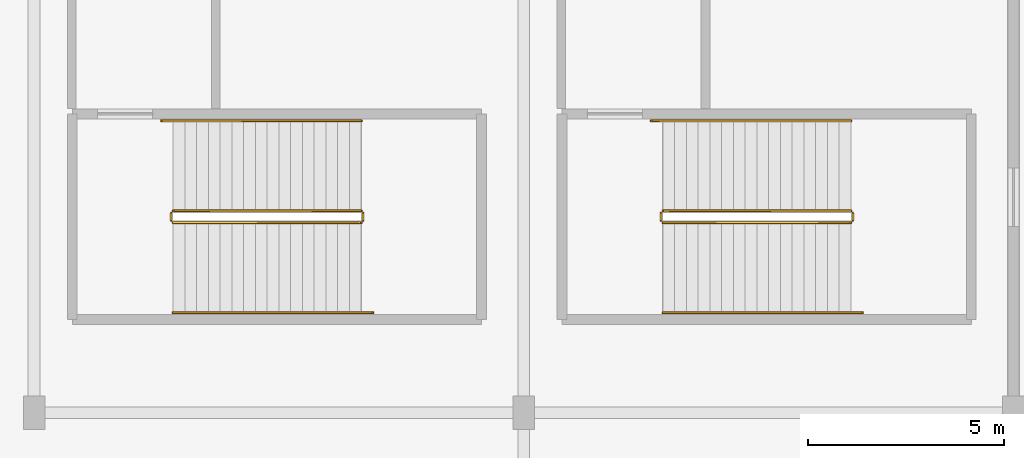
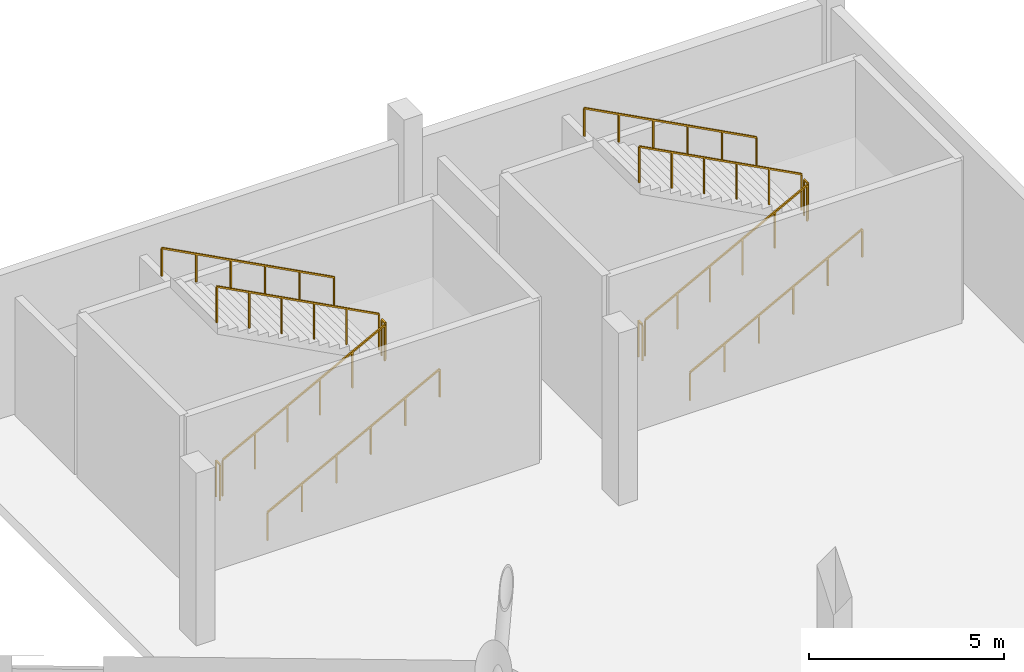
# One storey, part 82 of 82: 12 railings.
"""IFC4 building model written with IfcOpenShell, lengths in metres."""

from ifc_helpers import new_model, si_unit, direction, frame, origin, origin_2d, place, context, subcontext, project, spatial, rectangle, extrude, material, type_object, element, save


model = new_model("IFC4")

# Units and contexts
model_context = context("Model", 3, precision=1e-05, world=origin(), true_north=direction((0.0, 1.0)))
body_context = subcontext(model_context, "Body", "Model", "MODEL_VIEW")
ifc_project = project(units=[si_unit("LENGTHUNIT", "METRE"), si_unit("AREAUNIT", "SQUARE_METRE"), si_unit("VOLUMEUNIT", "CUBIC_METRE"), si_unit("PLANEANGLEUNIT", "RADIAN"), si_unit("MASSUNIT", "GRAM", prefix="KILO")], contexts=[model_context])

# Site, building, storey
site_placement = place(None, origin())
site = spatial("IfcSite", under=ifc_project, at=site_placement, CompositionType="ELEMENT")
building_placement = place(site_placement, origin())
building = spatial("IfcBuilding", under=site, at=building_placement, Name="Zlatoyarsky Gate Stadium", CompositionType="ELEMENT")
storey_placement = place(building_placement, origin())
storey = spatial("IfcBuildingStorey", under=building, at=storey_placement, Name="L00", CompositionType="ELEMENT", Elevation=0.0)

# Railings
ifc_material_1 = material(Name="Powder-coated steel stair guardrail", Category="steel")
railing_type_1 = type_object("IfcRailingType", Name="PAINTED STEEL STAIR WELL GUARDRAIL 1150", PredefinedType="GUARDRAIL", material=ifc_material_1)
railing_1_placement = place(storey_placement, frame((176.050048828125, 142.85009765625, 0.158935546875)))
element("IfcRailing", 1, at=railing_1_placement, inside=storey, type_object=railing_type_1, Name="ST-27 L00 stair guard 1", PredefinedType="GUARDRAIL", context=body_context, shape_type="SweptSolid", body=[
    extrude(rectangle(XDim=0.048095703125, YDim=0.048095703125, at=origin_2d()), frame((0.0, 0.0, 1.1259765625), z_axis=(0.883802130504, 0.0, 0.467860870469), x_axis=(0.0, 1.0, 0.0)), (0.0, 0.0, 1.0), 5.43115234375),
    extrude(rectangle(XDim=0.0419921875, YDim=0.0419921875, at=origin_2d()), origin(), (0.0, 0.0, 1.0), 1.101806640625),
    extrude(rectangle(XDim=0.0419921875, YDim=0.0419921875, at=origin_2d()), frame((0.9599609375, 0.0, 0.50830078125)), (0.0, 0.0, 1.0), 1.101806640625),
    extrude(rectangle(XDim=0.0419921875, YDim=0.0419921875, at=origin_2d()), frame((1.919921875, 0.0, 1.016357421875)), (0.0, 0.0, 1.0), 1.101806640625),
    extrude(rectangle(XDim=0.0419921875, YDim=0.0419921875, at=origin_2d()), frame((2.880126953125, 0.0, 1.524658203125)), (0.0, 0.0, 1.0), 1.101806640625),
    extrude(rectangle(XDim=0.0419921875, YDim=0.0419921875, at=origin_2d()), frame((3.840087890625, 0.0, 2.03271484375)), (0.0, 0.0, 1.0), 1.101806640625),
    extrude(rectangle(XDim=0.0419921875, YDim=0.0419921875, at=origin_2d()), frame((4.800048828125, 0.0, 2.541015625)), (0.0, 0.0, 1.0), 1.101806640625),
])
railing_2_placement = place(storey_placement, frame((180.89990234375, 142.89990234375, 2.699951171875)))
element("IfcRailing", 2, at=railing_2_placement, inside=storey, type_object=railing_type_1, Name="ST-27 L00 stair guard 2", PredefinedType="GUARDRAIL", context=body_context, shape_type="SweptSolid", body=[
    extrude(rectangle(XDim=0.048095703125, YDim=0.048095703125, at=origin_2d()), frame((0.0, 0.0, 1.1259765625), z_axis=(0.0, 1.0, 0.0), x_axis=(-1.0, 0.0, 0.0)), (0.0, 0.0, 1.0), 0.2001953125),
    extrude(rectangle(XDim=0.0419921875, YDim=0.0419921875, at=origin_2d()), origin(), (0.0, 0.0, 1.0), 1.101806640625),
    extrude(rectangle(XDim=0.0419921875, YDim=0.0419921875, at=origin_2d()), frame((0.0, 0.2001953125, 0.0)), (0.0, 0.0, 1.0), 1.101806640625),
])
railing_3_placement = place(storey_placement, frame((180.85009765625, 143.14990234375, 2.85888671875)))
element("IfcRailing", 3, at=railing_3_placement, inside=storey, type_object=railing_type_1, Name="ST-27 L00 stair guard 3", PredefinedType="GUARDRAIL", context=body_context, shape_type="SweptSolid", body=[
    extrude(rectangle(XDim=0.048095703125, YDim=0.048095703125, at=origin_2d()), frame((0.0, 0.0, 1.1259765625), z_axis=(-0.883802130504, 0.0, 0.467860870469), x_axis=(0.0, -1.0, 0.0)), (0.0, 0.0, 1.0), 5.43115234375),
    extrude(rectangle(XDim=0.0419921875, YDim=0.0419921875, at=origin_2d()), origin(), (0.0, 0.0, 1.0), 1.101806640625),
    extrude(rectangle(XDim=0.0419921875, YDim=0.0419921875, at=origin_2d()), frame((-0.9599609375, 0.0, 0.50830078125)), (0.0, 0.0, 1.0), 1.101806640625),
    extrude(rectangle(XDim=0.0419921875, YDim=0.0419921875, at=origin_2d()), frame((-1.919921875, 0.0, 1.016357421875)), (0.0, 0.0, 1.0), 1.101806640625),
    extrude(rectangle(XDim=0.0419921875, YDim=0.0419921875, at=origin_2d()), frame((-2.880126953125, 0.0, 1.524658203125)), (0.0, 0.0, 1.0), 1.101806640625),
    extrude(rectangle(XDim=0.0419921875, YDim=0.0419921875, at=origin_2d()), frame((-3.840087890625, 0.0, 2.03271484375)), (0.0, 0.0, 1.0), 1.101806640625),
    extrude(rectangle(XDim=0.0419921875, YDim=0.0419921875, at=origin_2d()), frame((-4.800048828125, 0.0, 2.541015625)), (0.0, 0.0, 1.0), 1.101806640625),
])
railing_4_placement = place(storey_placement, frame((176.0, 142.89990234375, 0.0)))
element("IfcRailing", 4, at=railing_4_placement, inside=storey, type_object=railing_type_1, Name="ST-27 L00 stair guard 4", PredefinedType="GUARDRAIL", context=body_context, shape_type="SweptSolid", body=[
    extrude(rectangle(XDim=0.048095703125, YDim=0.048095703125, at=origin_2d()), frame((0.0, 0.0, 1.1259765625), z_axis=(0.0, 1.0, 0.0), x_axis=(-1.0, 0.0, 0.0)), (0.0, 0.0, 1.0), 0.2001953125),
    extrude(rectangle(XDim=0.0419921875, YDim=0.0419921875, at=origin_2d()), origin(), (0.0, 0.0, 1.0), 1.101806640625),
    extrude(rectangle(XDim=0.0419921875, YDim=0.0419921875, at=origin_2d()), frame((0.0, 0.2001953125, 0.0)), (0.0, 0.0, 1.0), 1.101806640625),
])
railing_5_placement = place(storey_placement, frame((188.550048828125, 142.85009765625, 0.158935546875)))
element("IfcRailing", 5, at=railing_5_placement, inside=storey, type_object=railing_type_1, Name="ST-28 L00 stair guard 1", PredefinedType="GUARDRAIL", context=body_context, shape_type="SweptSolid", body=[
    extrude(rectangle(XDim=0.048095703125, YDim=0.048095703125, at=origin_2d()), frame((0.0, 0.0, 1.1259765625), z_axis=(0.883802130504, 0.0, 0.467860870469), x_axis=(0.0, 1.0, 0.0)), (0.0, 0.0, 1.0), 5.43115234375),
    extrude(rectangle(XDim=0.0419921875, YDim=0.0419921875, at=origin_2d()), origin(), (0.0, 0.0, 1.0), 1.101806640625),
    extrude(rectangle(XDim=0.0419921875, YDim=0.0419921875, at=origin_2d()), frame((0.9599609375, 0.0, 0.50830078125)), (0.0, 0.0, 1.0), 1.101806640625),
    extrude(rectangle(XDim=0.0419921875, YDim=0.0419921875, at=origin_2d()), frame((1.919921875, 0.0, 1.016357421875)), (0.0, 0.0, 1.0), 1.101806640625),
    extrude(rectangle(XDim=0.0419921875, YDim=0.0419921875, at=origin_2d()), frame((2.880126953125, 0.0, 1.524658203125)), (0.0, 0.0, 1.0), 1.101806640625),
    extrude(rectangle(XDim=0.0419921875, YDim=0.0419921875, at=origin_2d()), frame((3.840087890625, 0.0, 2.03271484375)), (0.0, 0.0, 1.0), 1.101806640625),
    extrude(rectangle(XDim=0.0419921875, YDim=0.0419921875, at=origin_2d()), frame((4.800048828125, 0.0, 2.541015625)), (0.0, 0.0, 1.0), 1.101806640625),
])
railing_6_placement = place(storey_placement, frame((193.39990234375, 142.89990234375, 2.699951171875)))
element("IfcRailing", 6, at=railing_6_placement, inside=storey, type_object=railing_type_1, Name="ST-28 L00 stair guard 2", PredefinedType="GUARDRAIL", context=body_context, shape_type="SweptSolid", body=[
    extrude(rectangle(XDim=0.048095703125, YDim=0.048095703125, at=origin_2d()), frame((0.0, 0.0, 1.1259765625), z_axis=(0.0, 1.0, 0.0), x_axis=(-1.0, 0.0, 0.0)), (0.0, 0.0, 1.0), 0.2001953125),
    extrude(rectangle(XDim=0.0419921875, YDim=0.0419921875, at=origin_2d()), origin(), (0.0, 0.0, 1.0), 1.101806640625),
    extrude(rectangle(XDim=0.0419921875, YDim=0.0419921875, at=origin_2d()), frame((0.0, 0.2001953125, 0.0)), (0.0, 0.0, 1.0), 1.101806640625),
])
railing_7_placement = place(storey_placement, frame((193.35009765625, 143.14990234375, 2.85888671875)))
element("IfcRailing", 7, at=railing_7_placement, inside=storey, type_object=railing_type_1, Name="ST-28 L00 stair guard 3", PredefinedType="GUARDRAIL", context=body_context, shape_type="SweptSolid", body=[
    extrude(rectangle(XDim=0.048095703125, YDim=0.048095703125, at=origin_2d()), frame((0.0, 0.0, 1.1259765625), z_axis=(-0.883802130504, 0.0, 0.467860870469), x_axis=(0.0, -1.0, 0.0)), (0.0, 0.0, 1.0), 5.43115234375),
    extrude(rectangle(XDim=0.0419921875, YDim=0.0419921875, at=origin_2d()), origin(), (0.0, 0.0, 1.0), 1.101806640625),
    extrude(rectangle(XDim=0.0419921875, YDim=0.0419921875, at=origin_2d()), frame((-0.9599609375, 0.0, 0.50830078125)), (0.0, 0.0, 1.0), 1.101806640625),
    extrude(rectangle(XDim=0.0419921875, YDim=0.0419921875, at=origin_2d()), frame((-1.919921875, 0.0, 1.016357421875)), (0.0, 0.0, 1.0), 1.101806640625),
    extrude(rectangle(XDim=0.0419921875, YDim=0.0419921875, at=origin_2d()), frame((-2.880126953125, 0.0, 1.524658203125)), (0.0, 0.0, 1.0), 1.101806640625),
    extrude(rectangle(XDim=0.0419921875, YDim=0.0419921875, at=origin_2d()), frame((-3.840087890625, 0.0, 2.03271484375)), (0.0, 0.0, 1.0), 1.101806640625),
    extrude(rectangle(XDim=0.0419921875, YDim=0.0419921875, at=origin_2d()), frame((-4.800048828125, 0.0, 2.541015625)), (0.0, 0.0, 1.0), 1.101806640625),
])
railing_8_placement = place(storey_placement, frame((188.5, 142.89990234375, 0.0)))
element("IfcRailing", 8, at=railing_8_placement, inside=storey, type_object=railing_type_1, Name="ST-28 L00 stair guard 4", PredefinedType="GUARDRAIL", context=body_context, shape_type="SweptSolid", body=[
    extrude(rectangle(XDim=0.048095703125, YDim=0.048095703125, at=origin_2d()), frame((0.0, 0.0, 1.1259765625), z_axis=(0.0, 1.0, 0.0), x_axis=(-1.0, 0.0, 0.0)), (0.0, 0.0, 1.0), 0.2001953125),
    extrude(rectangle(XDim=0.0419921875, YDim=0.0419921875, at=origin_2d()), origin(), (0.0, 0.0, 1.0), 1.101806640625),
    extrude(rectangle(XDim=0.0419921875, YDim=0.0419921875, at=origin_2d()), frame((0.0, 0.2001953125, 0.0)), (0.0, 0.0, 1.0), 1.101806640625),
])
ifc_material_2 = material(Name="Brushed stainless steel 316 handrail", Category="steel")
railing_type_2 = type_object("IfcRailingType", Name="STAINLESS STEEL TUBULAR HANDRAIL 900", PredefinedType="HANDRAIL", material=ifc_material_2)
railing_9_placement = place(storey_placement, frame((176.050048828125, 140.550048828125, 0.162841796875)))
element("IfcRailing", 9, at=railing_9_placement, inside=storey, type_object=railing_type_2, Name="ST-27 L00 stair handrail 1", PredefinedType="HANDRAIL", context=body_context, shape_type="SweptSolid", body=[
    extrude(rectangle(XDim=0.048095703125, YDim=0.048095703125, at=origin_2d()), frame((0.0, 0.0, 0.8759765625), z_axis=(0.883785858079, 0.0, 0.467891608238), x_axis=(0.0, 1.0, 0.0)), (0.0, 0.0, 1.0), 5.7705078125),
    extrude(rectangle(XDim=0.0419921875, YDim=0.0419921875, at=origin_2d()), origin(), (0.0, 0.0, 1.0), 0.851806640625),
    extrude(rectangle(XDim=0.0419921875, YDim=0.0419921875, at=origin_2d()), frame((1.02001953125, 0.0, 0.5400390625)), (0.0, 0.0, 1.0), 0.851806640625),
    extrude(rectangle(XDim=0.0419921875, YDim=0.0419921875, at=origin_2d()), frame((2.0400390625, 0.0, 1.080078125)), (0.0, 0.0, 1.0), 0.851806640625),
    extrude(rectangle(XDim=0.0419921875, YDim=0.0419921875, at=origin_2d()), frame((3.059814453125, 0.0, 1.619873046875)), (0.0, 0.0, 1.0), 0.851806640625),
    extrude(rectangle(XDim=0.0419921875, YDim=0.0419921875, at=origin_2d()), frame((4.079833984375, 0.0, 2.159912109375)), (0.0, 0.0, 1.0), 0.851806640625),
    extrude(rectangle(XDim=0.0419921875, YDim=0.0419921875, at=origin_2d()), frame((5.099853515625, 0.0, 2.699951171875)), (0.0, 0.0, 1.0), 0.851806640625),
])
railing_10_placement = place(storey_placement, frame((180.85009765625, 145.449951171875, 2.86279296875)))
element("IfcRailing", 10, at=railing_10_placement, inside=storey, type_object=railing_type_2, Name="ST-27 L00 stair handrail 2", PredefinedType="HANDRAIL", context=body_context, shape_type="SweptSolid", body=[
    extrude(rectangle(XDim=0.048095703125, YDim=0.048095703125, at=origin_2d()), frame((0.0, 0.0, 0.8759765625), z_axis=(-0.883795119882, 0.0, 0.467874113489), x_axis=(0.0, -1.0, 0.0)), (0.0, 0.0, 1.0), 5.770751953125),
    extrude(rectangle(XDim=0.0419921875, YDim=0.0419921875, at=origin_2d()), origin(), (0.0, 0.0, 1.0), 0.851806640625),
    extrude(rectangle(XDim=0.0419921875, YDim=0.0419921875, at=origin_2d()), frame((-1.02001953125, 0.0, 0.5400390625)), (0.0, 0.0, 1.0), 0.851806640625),
    extrude(rectangle(XDim=0.0419921875, YDim=0.0419921875, at=origin_2d()), frame((-2.0400390625, 0.0, 1.080078125)), (0.0, 0.0, 1.0), 0.851806640625),
    extrude(rectangle(XDim=0.0419921875, YDim=0.0419921875, at=origin_2d()), frame((-3.06005859375, 0.0, 1.619873046875)), (0.0, 0.0, 1.0), 0.851806640625),
    extrude(rectangle(XDim=0.0419921875, YDim=0.0419921875, at=origin_2d()), frame((-4.080078125, 0.0, 2.159912109375)), (0.0, 0.0, 1.0), 0.851806640625),
    extrude(rectangle(XDim=0.0419921875, YDim=0.0419921875, at=origin_2d()), frame((-5.10009765625, 0.0, 2.699951171875)), (0.0, 0.0, 1.0), 0.851806640625),
])
railing_11_placement = place(storey_placement, frame((188.550048828125, 140.550048828125, 0.162841796875)))
element("IfcRailing", 11, at=railing_11_placement, inside=storey, type_object=railing_type_2, Name="ST-28 L00 stair handrail 1", PredefinedType="HANDRAIL", context=body_context, shape_type="SweptSolid", body=[
    extrude(rectangle(XDim=0.048095703125, YDim=0.048095703125, at=origin_2d()), frame((0.0, 0.0, 0.8759765625), z_axis=(0.883785858079, 0.0, 0.467891608238), x_axis=(0.0, 1.0, 0.0)), (0.0, 0.0, 1.0), 5.7705078125),
    extrude(rectangle(XDim=0.0419921875, YDim=0.0419921875, at=origin_2d()), origin(), (0.0, 0.0, 1.0), 0.851806640625),
    extrude(rectangle(XDim=0.0419921875, YDim=0.0419921875, at=origin_2d()), frame((1.02001953125, 0.0, 0.5400390625)), (0.0, 0.0, 1.0), 0.851806640625),
    extrude(rectangle(XDim=0.0419921875, YDim=0.0419921875, at=origin_2d()), frame((2.0400390625, 0.0, 1.080078125)), (0.0, 0.0, 1.0), 0.851806640625),
    extrude(rectangle(XDim=0.0419921875, YDim=0.0419921875, at=origin_2d()), frame((3.059814453125, 0.0, 1.619873046875)), (0.0, 0.0, 1.0), 0.851806640625),
    extrude(rectangle(XDim=0.0419921875, YDim=0.0419921875, at=origin_2d()), frame((4.079833984375, 0.0, 2.159912109375)), (0.0, 0.0, 1.0), 0.851806640625),
    extrude(rectangle(XDim=0.0419921875, YDim=0.0419921875, at=origin_2d()), frame((5.099853515625, 0.0, 2.699951171875)), (0.0, 0.0, 1.0), 0.851806640625),
])
railing_12_placement = place(storey_placement, frame((193.35009765625, 145.449951171875, 2.86279296875)))
element("IfcRailing", 12, at=railing_12_placement, inside=storey, type_object=railing_type_2, Name="ST-28 L00 stair handrail 2", PredefinedType="HANDRAIL", context=body_context, shape_type="SweptSolid", body=[
    extrude(rectangle(XDim=0.048095703125, YDim=0.048095703125, at=origin_2d()), frame((0.0, 0.0, 0.8759765625), z_axis=(-0.883795119882, 0.0, 0.467874113489), x_axis=(0.0, -1.0, 0.0)), (0.0, 0.0, 1.0), 5.770751953125),
    extrude(rectangle(XDim=0.0419921875, YDim=0.0419921875, at=origin_2d()), origin(), (0.0, 0.0, 1.0), 0.851806640625),
    extrude(rectangle(XDim=0.0419921875, YDim=0.0419921875, at=origin_2d()), frame((-1.02001953125, 0.0, 0.5400390625)), (0.0, 0.0, 1.0), 0.851806640625),
    extrude(rectangle(XDim=0.0419921875, YDim=0.0419921875, at=origin_2d()), frame((-2.0400390625, 0.0, 1.080078125)), (0.0, 0.0, 1.0), 0.851806640625),
    extrude(rectangle(XDim=0.0419921875, YDim=0.0419921875, at=origin_2d()), frame((-3.06005859375, 0.0, 1.619873046875)), (0.0, 0.0, 1.0), 0.851806640625),
    extrude(rectangle(XDim=0.0419921875, YDim=0.0419921875, at=origin_2d()), frame((-4.080078125, 0.0, 2.159912109375)), (0.0, 0.0, 1.0), 0.851806640625),
    extrude(rectangle(XDim=0.0419921875, YDim=0.0419921875, at=origin_2d()), frame((-5.10009765625, 0.0, 2.699951171875)), (0.0, 0.0, 1.0), 0.851806640625),
])

save(model, "model.ifc")
